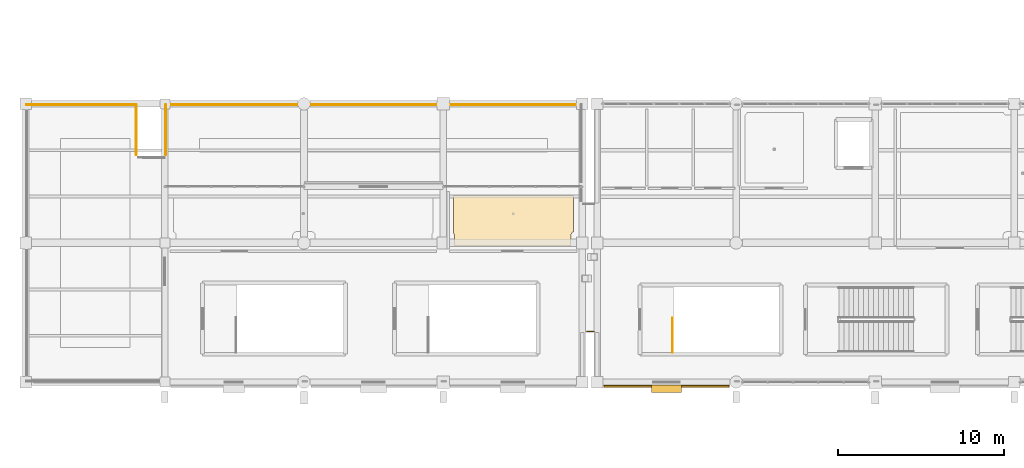
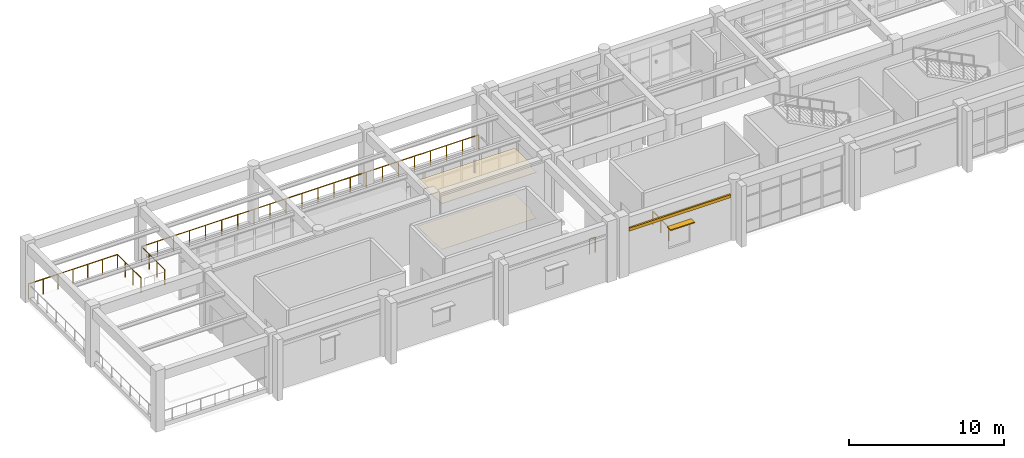
# One storey, part 95 of 111: 6 railings, 3 coverings, 1 shading device.
"""IFC4 building model written with IfcOpenShell, lengths in metres."""

from ifc_helpers import new_model, si_unit, direction, frame, origin, origin_2d, place, context, subcontext, project, spatial, polyline, rectangle, circle, outline, extrude, material, layer, layer_set, type_object, element, save


model = new_model("IFC4")

# Units and contexts
model_context = context("Model", 3, precision=1e-05, world=origin(), true_north=direction((0.0, 1.0)))
body_context = subcontext(model_context, "Body", "Model", "MODEL_VIEW")
ifc_project = project(units=[si_unit("LENGTHUNIT", "METRE"), si_unit("AREAUNIT", "SQUARE_METRE"), si_unit("VOLUMEUNIT", "CUBIC_METRE"), si_unit("PLANEANGLEUNIT", "RADIAN"), si_unit("MASSUNIT", "GRAM", prefix="KILO")], contexts=[model_context])

# Site, building, storey
site_placement = place(None, origin())
site = spatial("IfcSite", under=ifc_project, at=site_placement, CompositionType="ELEMENT")
building_placement = place(site_placement, origin())
building = spatial("IfcBuilding", under=site, at=building_placement, Name="Canglan Escarpment Cableway Terminal", CompositionType="ELEMENT")
storey_placement = place(building_placement, frame((0.0, 0.0, 4.800048828125)))
storey = spatial("IfcBuildingStorey", under=building, at=storey_placement, Name="L01", CompositionType="ELEMENT", Elevation=4.800048828125)

# Coverings
ifc_material_1 = material(Name="Micro-perforated acoustic aluminium ceiling", Category="aluminium")
ifc_layer_1 = layer(ifc_material_1, 0.0400390625, Name="Micro-perforated acoustic aluminium ceiling")
ifc_layer_set_1 = layer_set([ifc_layer_1], Name="Micro-perforated acoustic aluminium ceiling")
covering_type_1 = type_object("IfcCoveringType", Name="COV-CEIL-ACOUSTIC-40", PredefinedType="CEILING", material=ifc_layer_set_1)
covering_1_placement = place(storey_placement, frame((0.0, 0.0, 3.58984375)))
element("IfcCovering", 1, at=covering_1_placement, inside=storey, type_object=covering_type_1, Name="Karst Landform Diorama Room suspended acoustic ceiling", PredefinedType="CEILING", context=body_context, shape_type="SweptSolid", body=[
    extrude(outline(polyline([(33.8251953125, 17.0048828125), (33.823974609375, 17.00634765625), (33.822998046875, 17.0078125), (33.822021484375, 17.009521484375), (33.8212890625, 17.01123046875), (33.82080078125, 17.012939453125), (33.8203125, 17.0146484375), (33.820068359375, 17.0166015625), (33.820068359375, 17.018310546875), (33.820068359375, 19.260009765625), (33.820068359375, 19.261962890625), (33.8203125, 19.263916015625), (33.82080078125, 19.265869140625), (33.821533203125, 19.267578125), (33.822509765625, 19.269287109375), (33.823486328125, 19.27099609375), (33.824462890625, 19.272705078125), (33.825927734375, 19.274169921875), (33.827392578125, 19.275390625), (33.828857421875, 19.276611328125), (33.83056640625, 19.277587890625), (33.832275390625, 19.278564453125), (33.834228515625, 19.279052734375), (33.836181640625, 19.279541015625), (33.837890625, 19.27978515625), (33.840087890625, 19.280029296875), (41.06005859375, 19.280029296875), (41.06201171875, 19.27978515625), (41.06396484375, 19.279541015625), (41.06591796875, 19.279052734375), (41.067626953125, 19.278564453125), (41.0693359375, 19.277587890625), (41.071044921875, 19.276611328125), (41.07275390625, 19.275390625), (41.07421875, 19.274169921875), (41.075439453125, 19.272705078125), (41.07666015625, 19.27099609375), (41.07763671875, 19.269287109375), (41.07861328125, 19.267578125), (41.0791015625, 19.265869140625), (41.07958984375, 19.263916015625), (41.079833984375, 19.261962890625), (41.080078125, 19.260009765625), (41.080078125, 17.0859375), (41.079833984375, 17.083984375), (41.07958984375, 17.082275390625), (41.0791015625, 17.080322265625), (41.07861328125, 17.07861328125), (41.077880859375, 17.076904296875), (41.076904296875, 17.0751953125), (41.07568359375, 17.07373046875), (41.07470703125, 17.072265625), (41.0732421875, 17.071044921875), (41.07177734375, 17.06982421875), (41.0703125, 17.06884765625), (41.068603515625, 17.06787109375), (41.066650390625, 17.067138671875), (41.056396484375, 17.0634765625), (41.055419921875, 17.06298828125), (41.03662109375, 17.05419921875), (41.035888671875, 17.0537109375), (41.018310546875, 17.043212890625), (41.017333984375, 17.04248046875), (41.000732421875, 17.030517578125), (41.0, 17.02978515625), (40.98486328125, 17.015869140625), (40.984130859375, 17.01513671875), (40.97021484375, 17.0), (40.969482421875, 16.999267578125), (40.95751953125, 16.982666015625), (40.956787109375, 16.981689453125), (40.9462890625, 16.964111328125), (40.94580078125, 16.96337890625), (40.93701171875, 16.944580078125), (40.9365234375, 16.943603515625), (40.9296875, 16.92431640625), (40.929443359375, 16.92333984375), (40.92431640625, 16.9033203125), (40.92431640625, 16.90234375), (40.921142578125, 16.882080078125), (40.9208984375, 16.881103515625), (40.919921875, 16.860107421875), (40.919921875, 16.85986328125), (40.919921875, 16.239990234375), (40.919921875, 16.238037109375), (40.919677734375, 16.236083984375), (40.919189453125, 16.234130859375), (40.91845703125, 16.232421875), (40.91748046875, 16.230712890625), (40.91650390625, 16.22900390625), (40.91552734375, 16.227294921875), (40.9140625, 16.225830078125), (40.91259765625, 16.224609375), (40.9111328125, 16.223388671875), (40.909423828125, 16.222412109375), (40.90771484375, 16.221435546875), (40.90576171875, 16.220947265625), (40.90380859375, 16.220458984375), (40.902099609375, 16.22021484375), (40.89990234375, 16.219970703125), (33.89990234375, 16.219970703125), (33.89794921875, 16.22021484375), (33.89599609375, 16.220458984375), (33.894287109375, 16.220947265625), (33.892333984375, 16.221435546875), (33.890625, 16.222412109375), (33.888916015625, 16.223388671875), (33.88720703125, 16.224609375), (33.885986328125, 16.225830078125), (33.884521484375, 16.227294921875), (33.88330078125, 16.22900390625), (33.88232421875, 16.230712890625), (33.881591796875, 16.232421875), (33.880859375, 16.234130859375), (33.88037109375, 16.236083984375), (33.880126953125, 16.238037109375), (33.8798828125, 16.239990234375), (33.8798828125, 16.85986328125), (33.8798828125, 16.860107421875), (33.87890625, 16.881103515625), (33.87890625, 16.882080078125), (33.875732421875, 16.90234375), (33.875732421875, 16.9033203125), (33.87060546875, 16.92333984375), (33.870361328125, 16.92431640625), (33.86328125, 16.943603515625), (33.863037109375, 16.944580078125), (33.854248046875, 16.96337890625), (33.853759765625, 16.964111328125), (33.84326171875, 16.981689453125), (33.842529296875, 16.982666015625), (33.830322265625, 16.999267578125), (33.82958984375, 17.0), (33.8251953125, 17.0048828125)])), origin(), (0.0, 0.0, 1.0), 0.0400390625),
])
ifc_material_2 = material(Name="Carved classical limestone cornice", Category="masonry")
ifc_layer_2 = layer(ifc_material_2, 0.1201171875, Name="Carved classical limestone cornice")
ifc_layer_set_2 = layer_set([ifc_layer_2], Name="Carved classical limestone cornice")
covering_type_2 = type_object("IfcCoveringType", Name="COV-CORNICE-STONE", PredefinedType="CLADDING", material=ifc_layer_set_2)
covering_2_placement = place(storey_placement, frame((46.6875, 7.760009765625, 3.455078125), z_axis=(0.0, 0.0, 1.0), x_axis=(1.0, 0.0, 0.0)))
element("IfcCovering", 2, at=covering_2_placement, inside=storey, type_object=covering_type_2, Name="Classical carved limestone cornice CL-01", PredefinedType="CLADDING", context=body_context, shape_type="SweptSolid", body=[
    extrude(rectangle(XDim=7.574951171875, YDim=0.1201171875, at=origin_2d()), origin(), (0.0, 0.0, 1.0), 0.239990234375),
])
ifc_material_3 = material(Name="Polished mineral terrazzo flooring", Category="concrete")
ifc_layer_3 = layer(ifc_material_3, 0.02001953125, Name="Polished mineral terrazzo flooring")
ifc_layer_set_3 = layer_set([ifc_layer_3], Name="Polished mineral terrazzo flooring")
covering_type_3 = type_object("IfcCoveringType", Name="COV-FLR-TERRAZZO-20", PredefinedType="FLOORING", material=ifc_layer_set_3)
covering_3_placement = place(storey_placement, origin())
element("IfcCovering", 3, at=covering_3_placement, inside=storey, type_object=covering_type_3, Name="Karst Landform Diorama Room stone floor finish", PredefinedType="FLOORING", context=body_context, shape_type="SweptSolid", body=[
    extrude(outline(polyline([(33.8251953125, 17.0048828125), (33.823974609375, 17.00634765625), (33.822998046875, 17.0078125), (33.822021484375, 17.009521484375), (33.8212890625, 17.01123046875), (33.82080078125, 17.012939453125), (33.8203125, 17.0146484375), (33.820068359375, 17.0166015625), (33.820068359375, 17.018310546875), (33.820068359375, 19.260009765625), (33.820068359375, 19.261962890625), (33.8203125, 19.263916015625), (33.82080078125, 19.265869140625), (33.821533203125, 19.267578125), (33.822509765625, 19.269287109375), (33.823486328125, 19.27099609375), (33.824462890625, 19.272705078125), (33.825927734375, 19.274169921875), (33.827392578125, 19.275390625), (33.828857421875, 19.276611328125), (33.83056640625, 19.277587890625), (33.832275390625, 19.278564453125), (33.834228515625, 19.279052734375), (33.836181640625, 19.279541015625), (33.837890625, 19.27978515625), (33.840087890625, 19.280029296875), (41.06005859375, 19.280029296875), (41.06201171875, 19.27978515625), (41.06396484375, 19.279541015625), (41.06591796875, 19.279052734375), (41.067626953125, 19.278564453125), (41.0693359375, 19.277587890625), (41.071044921875, 19.276611328125), (41.07275390625, 19.275390625), (41.07421875, 19.274169921875), (41.075439453125, 19.272705078125), (41.07666015625, 19.27099609375), (41.07763671875, 19.269287109375), (41.07861328125, 19.267578125), (41.0791015625, 19.265869140625), (41.07958984375, 19.263916015625), (41.079833984375, 19.261962890625), (41.080078125, 19.260009765625), (41.080078125, 17.0859375), (41.079833984375, 17.083984375), (41.07958984375, 17.082275390625), (41.0791015625, 17.080322265625), (41.07861328125, 17.07861328125), (41.077880859375, 17.076904296875), (41.076904296875, 17.0751953125), (41.07568359375, 17.07373046875), (41.07470703125, 17.072265625), (41.0732421875, 17.071044921875), (41.07177734375, 17.06982421875), (41.0703125, 17.06884765625), (41.068603515625, 17.06787109375), (41.066650390625, 17.067138671875), (41.056396484375, 17.0634765625), (41.055419921875, 17.06298828125), (41.03662109375, 17.05419921875), (41.035888671875, 17.0537109375), (41.018310546875, 17.043212890625), (41.017333984375, 17.04248046875), (41.000732421875, 17.030517578125), (41.0, 17.02978515625), (40.98486328125, 17.015869140625), (40.984130859375, 17.01513671875), (40.97021484375, 17.0), (40.969482421875, 16.999267578125), (40.95751953125, 16.982666015625), (40.956787109375, 16.981689453125), (40.9462890625, 16.964111328125), (40.94580078125, 16.96337890625), (40.93701171875, 16.944580078125), (40.9365234375, 16.943603515625), (40.9296875, 16.92431640625), (40.929443359375, 16.92333984375), (40.92431640625, 16.9033203125), (40.92431640625, 16.90234375), (40.921142578125, 16.882080078125), (40.9208984375, 16.881103515625), (40.919921875, 16.860107421875), (40.919921875, 16.85986328125), (40.919921875, 16.239990234375), (40.919921875, 16.238037109375), (40.919677734375, 16.236083984375), (40.919189453125, 16.234130859375), (40.91845703125, 16.232421875), (40.91748046875, 16.230712890625), (40.91650390625, 16.22900390625), (40.91552734375, 16.227294921875), (40.9140625, 16.225830078125), (40.91259765625, 16.224609375), (40.9111328125, 16.223388671875), (40.909423828125, 16.222412109375), (40.90771484375, 16.221435546875), (40.90576171875, 16.220947265625), (40.90380859375, 16.220458984375), (40.902099609375, 16.22021484375), (40.89990234375, 16.219970703125), (33.89990234375, 16.219970703125), (33.89794921875, 16.22021484375), (33.89599609375, 16.220458984375), (33.894287109375, 16.220947265625), (33.892333984375, 16.221435546875), (33.890625, 16.222412109375), (33.888916015625, 16.223388671875), (33.88720703125, 16.224609375), (33.885986328125, 16.225830078125), (33.884521484375, 16.227294921875), (33.88330078125, 16.22900390625), (33.88232421875, 16.230712890625), (33.881591796875, 16.232421875), (33.880859375, 16.234130859375), (33.88037109375, 16.236083984375), (33.880126953125, 16.238037109375), (33.8798828125, 16.239990234375), (33.8798828125, 16.85986328125), (33.8798828125, 16.860107421875), (33.87890625, 16.881103515625), (33.87890625, 16.882080078125), (33.875732421875, 16.90234375), (33.875732421875, 16.9033203125), (33.87060546875, 16.92333984375), (33.870361328125, 16.92431640625), (33.86328125, 16.943603515625), (33.863037109375, 16.944580078125), (33.854248046875, 16.96337890625), (33.853759765625, 16.964111328125), (33.84326171875, 16.981689453125), (33.842529296875, 16.982666015625), (33.830322265625, 16.999267578125), (33.82958984375, 17.0), (33.8251953125, 17.0048828125)])), origin(), (0.0, 0.0, 1.0), 0.02001953125),
])

# Railings
ifc_material_4 = material(Name="Carved limestone and anodized bronze balustrade", Category="masonry")
railing_type_1 = type_object("IfcRailingType", Name="RL-EXT-BALUSTRADE-1200", PredefinedType="BALUSTRADE", material=ifc_material_4)
railing_1_placement = place(storey_placement, frame((8.050048828125, 24.748046875, 0.0)))
element("IfcRailing", 4, at=railing_1_placement, inside=storey, type_object=railing_type_1, Name="Classical terrace balustrade guard GD-01 (L01)", PredefinedType="BALUSTRADE", context=body_context, shape_type="SweptSolid", body=[
    extrude(circle(Radius=0.02392578125, at=origin_2d()), frame((0.0, 0.0, 1.17578125), z_axis=(0.99999995645, 0.000295126707, 0.0), x_axis=(-0.000295126707, 0.99999995645, 0.0)), (0.0, 0.0, 1.0), 6.617919921875),
    extrude(circle(Radius=0.02099609375, at=origin_2d()), origin(), (0.0, 0.0, 1.0), 1.15185546875),
    extrude(circle(Radius=0.02099609375, at=origin_2d()), frame((1.10302734375, 0.000244140625, 0.0)), (0.0, 0.0, 1.0), 1.15185546875),
    extrude(circle(Radius=0.02099609375, at=origin_2d()), frame((2.2060546875, 0.000732421875, 0.0)), (0.0, 0.0, 1.0), 1.15185546875),
    extrude(circle(Radius=0.02099609375, at=origin_2d()), frame((3.30908203125, 0.0009765625, 0.0)), (0.0, 0.0, 1.0), 1.15185546875),
    extrude(circle(Radius=0.02099609375, at=origin_2d()), frame((4.411865234375, 0.001220703125, 0.0)), (0.0, 0.0, 1.0), 1.15185546875),
    extrude(circle(Radius=0.02099609375, at=origin_2d()), frame((5.514892578125, 0.001708984375, 0.0)), (0.0, 0.0, 1.0), 1.15185546875),
    extrude(circle(Radius=0.02099609375, at=origin_2d()), frame((6.617919921875, 0.001953125, 0.0)), (0.0, 0.0, 1.0), 1.15185546875),
])
railing_2_placement = place(storey_placement, frame((14.66796875, 24.75, 0.0)))
element("IfcRailing", 5, at=railing_2_placement, inside=storey, type_object=railing_type_1, Name="Classical terrace balustrade guard GD-01 (L01)", PredefinedType="BALUSTRADE", context=body_context, shape_type="SweptSolid", body=[
    extrude(circle(Radius=0.02392578125, at=origin_2d()), frame((0.0, 0.0, 1.17578125), z_axis=(0.000646725815, -0.999999790873, 0.0), x_axis=(0.999999790873, 0.000646725815, 0.0)), (0.0, 0.0, 1.0), 3.02001953125),
    extrude(circle(Radius=0.02099609375, at=origin_2d()), origin(), (0.0, 0.0, 1.0), 1.15185546875),
    extrude(circle(Radius=0.02099609375, at=origin_2d()), frame((0.000732421875, -1.006591796875, 0.0)), (0.0, 0.0, 1.0), 1.15185546875),
    extrude(circle(Radius=0.02099609375, at=origin_2d()), frame((0.001220703125, -2.013427734375, 0.0)), (0.0, 0.0, 1.0), 1.15185546875),
    extrude(circle(Radius=0.02099609375, at=origin_2d()), frame((0.001953125, -3.02001953125, 0.0)), (0.0, 0.0, 1.0), 1.15185546875),
])
railing_3_placement = place(storey_placement, frame((16.449951171875, 21.72998046875, 0.0)))
element("IfcRailing", 6, at=railing_3_placement, inside=storey, type_object=railing_type_1, Name="Classical terrace balustrade guard GD-01 (L01)", PredefinedType="BALUSTRADE", context=body_context, shape_type="SweptSolid", body=[
    extrude(circle(Radius=0.02392578125, at=origin_2d()), frame((0.0, 0.0, 1.17578125), z_axis=(0.0, 1.0, 0.0), x_axis=(-1.0, 0.0, 0.0)), (0.0, 0.0, 1.0), 3.01806640625),
    extrude(circle(Radius=0.02099609375, at=origin_2d()), origin(), (0.0, 0.0, 1.0), 1.15185546875),
    extrude(circle(Radius=0.02099609375, at=origin_2d()), frame((0.0, 1.006103515625, 0.0)), (0.0, 0.0, 1.0), 1.15185546875),
    extrude(circle(Radius=0.02099609375, at=origin_2d()), frame((0.0, 2.011962890625, 0.0)), (0.0, 0.0, 1.0), 1.15185546875),
    extrude(circle(Radius=0.02099609375, at=origin_2d()), frame((0.0, 3.01806640625, 0.0)), (0.0, 0.0, 1.0), 1.15185546875),
])
railing_4_placement = place(storey_placement, frame((16.449951171875, 24.748046875, 0.0)))
element("IfcRailing", 7, at=railing_4_placement, inside=storey, type_object=railing_type_1, Name="Classical terrace balustrade guard GD-01 (L01)", PredefinedType="BALUSTRADE", context=body_context, shape_type="SweptSolid", body=[
    extrude(circle(Radius=0.02392578125, at=origin_2d()), frame((0.0, 0.0, 1.17578125), z_axis=(0.999999996972, 7.7819497e-05, 0.0), x_axis=(-7.7819497e-05, 0.999999996972, 0.0)), (0.0, 0.0, 1.0), 25.09814453125),
    extrude(circle(Radius=0.02099609375, at=origin_2d()), origin(), (0.0, 0.0, 1.0), 1.15185546875),
    extrude(circle(Radius=0.02099609375, at=origin_2d()), frame((1.195068359375, 0.0, 0.0)), (0.0, 0.0, 1.0), 1.15185546875),
    extrude(circle(Radius=0.02099609375, at=origin_2d()), frame((2.390380859375, 0.000244140625, 0.0)), (0.0, 0.0, 1.0), 1.15185546875),
    extrude(circle(Radius=0.02099609375, at=origin_2d()), frame((3.58544921875, 0.000244140625, 0.0)), (0.0, 0.0, 1.0), 1.15185546875),
    extrude(circle(Radius=0.02099609375, at=origin_2d()), frame((4.780517578125, 0.00048828125, 0.0)), (0.0, 0.0, 1.0), 1.15185546875),
    extrude(circle(Radius=0.02099609375, at=origin_2d()), frame((5.975830078125, 0.00048828125, 0.0)), (0.0, 0.0, 1.0), 1.15185546875),
    extrude(circle(Radius=0.02099609375, at=origin_2d()), frame((7.1708984375, 0.00048828125, 0.0)), (0.0, 0.0, 1.0), 1.15185546875),
    extrude(circle(Radius=0.02099609375, at=origin_2d()), frame((8.365966796875, 0.000732421875, 0.0)), (0.0, 0.0, 1.0), 1.15185546875),
    extrude(circle(Radius=0.02099609375, at=origin_2d()), frame((9.561279296875, 0.000732421875, 0.0)), (0.0, 0.0, 1.0), 1.15185546875),
    extrude(circle(Radius=0.02099609375, at=origin_2d()), frame((10.75634765625, 0.000732421875, 0.0)), (0.0, 0.0, 1.0), 1.15185546875),
    extrude(circle(Radius=0.02099609375, at=origin_2d()), frame((11.951416015625, 0.0009765625, 0.0)), (0.0, 0.0, 1.0), 1.15185546875),
    extrude(circle(Radius=0.02099609375, at=origin_2d()), frame((13.146728515625, 0.0009765625, 0.0)), (0.0, 0.0, 1.0), 1.15185546875),
    extrude(circle(Radius=0.02099609375, at=origin_2d()), frame((14.341796875, 0.001220703125, 0.0)), (0.0, 0.0, 1.0), 1.15185546875),
    extrude(circle(Radius=0.02099609375, at=origin_2d()), frame((15.536865234375, 0.001220703125, 0.0)), (0.0, 0.0, 1.0), 1.15185546875),
    extrude(circle(Radius=0.02099609375, at=origin_2d()), frame((16.732177734375, 0.001220703125, 0.0)), (0.0, 0.0, 1.0), 1.15185546875),
    extrude(circle(Radius=0.02099609375, at=origin_2d()), frame((17.92724609375, 0.00146484375, 0.0)), (0.0, 0.0, 1.0), 1.15185546875),
    extrude(circle(Radius=0.02099609375, at=origin_2d()), frame((19.122314453125, 0.00146484375, 0.0)), (0.0, 0.0, 1.0), 1.15185546875),
    extrude(circle(Radius=0.02099609375, at=origin_2d()), frame((20.317626953125, 0.00146484375, 0.0)), (0.0, 0.0, 1.0), 1.15185546875),
    extrude(circle(Radius=0.02099609375, at=origin_2d()), frame((21.5126953125, 0.001708984375, 0.0)), (0.0, 0.0, 1.0), 1.15185546875),
    extrude(circle(Radius=0.02099609375, at=origin_2d()), frame((22.707763671875, 0.001708984375, 0.0)), (0.0, 0.0, 1.0), 1.15185546875),
    extrude(circle(Radius=0.02099609375, at=origin_2d()), frame((23.903076171875, 0.001953125, 0.0)), (0.0, 0.0, 1.0), 1.15185546875),
    extrude(circle(Radius=0.02099609375, at=origin_2d()), frame((25.09814453125, 0.001953125, 0.0)), (0.0, 0.0, 1.0), 1.15185546875),
])
railing_5_placement = place(storey_placement, frame((42.31005859375, 11.050048828125, 0.0)))
element("IfcRailing", 8, at=railing_5_placement, inside=storey, type_object=railing_type_1, Name="Classical terrace balustrade guard GD-01 (L01)", PredefinedType="BALUSTRADE", context=body_context, shape_type="SweptSolid", body=[
    extrude(circle(Radius=0.02392578125, at=origin_2d()), frame((0.0, 0.0, 1.17578125), z_axis=(-1.0, 0.0, 0.0), x_axis=(0.0, -1.0, 0.0)), (0.0, 0.0, 1.0), 0.420166015625),
    extrude(circle(Radius=0.02099609375, at=origin_2d()), origin(), (0.0, 0.0, 1.0), 1.15185546875),
    extrude(circle(Radius=0.02099609375, at=origin_2d()), frame((-0.420166015625, 0.0, 0.0)), (0.0, 0.0, 1.0), 1.15185546875),
])
ifc_material_5 = material(Name="Powder-coated steel stair balustrade", Category="steel")
railing_type_2 = type_object("IfcRailingType", Name="RL-STR-GUARD-1100", PredefinedType="BALUSTRADE", material=ifc_material_5)
railing_6_placement = place(storey_placement, frame((47.050048828125, 9.800048828125, 0.0)))
element("IfcRailing", 9, at=railing_6_placement, inside=storey, type_object=railing_type_2, Name="L01 ST-03 top well guard 1", PredefinedType="BALUSTRADE", context=body_context, shape_type="SweptSolid", body=[
    extrude(circle(Radius=0.02392578125, at=origin_2d()), frame((0.0, 0.0, 1.076171875), z_axis=(0.0, 1.0, 0.0), x_axis=(-1.0, 0.0, 0.0)), (0.0, 0.0, 1.0), 2.050048828125),
    extrude(circle(Radius=0.02099609375, at=origin_2d()), origin(), (0.0, 0.0, 1.0), 1.052001953125),
    extrude(circle(Radius=0.02099609375, at=origin_2d()), frame((0.0, 1.02490234375, 0.0)), (0.0, 0.0, 1.0), 1.052001953125),
    extrude(circle(Radius=0.02099609375, at=origin_2d()), frame((0.0, 2.050048828125, 0.0)), (0.0, 0.0, 1.0), 1.052001953125),
])

# Shading device
ifc_material_6 = material(Name="Anodized architectural bronze aluminium", Category="aluminium")
ifc_layer_4 = layer(ifc_material_6, 0.10009765625, Name="Anodized architectural bronze aluminium")
ifc_layer_set_4 = layer_set([ifc_layer_4], Name="Anodized architectural bronze aluminium")
shading_device_type = type_object("IfcShadingDeviceType", Name="SHD-BRONZE-LOUVRE-02", PredefinedType="JALOUSIE", material=ifc_layer_set_4)
shading_device_placement = place(storey_placement, frame((46.6875, 7.594970703125, 2.669921875), z_axis=(0.0, 0.0, 1.0), x_axis=(1.0, 0.0, 0.0)))
element("IfcShadingDevice", 10, at=shading_device_placement, inside=storey, type_object=shading_device_type, Name="Anodized bronze sun-shading brise-soleil SD-01", PredefinedType="JALOUSIE", context=body_context, shape_type="SweptSolid", body=[
    extrude(rectangle(XDim=1.800048828125, YDim=0.449951171875, at=origin_2d()), origin(), (0.0, 0.0, 1.0), 0.080078125),
])

save(model, "model.ifc")
